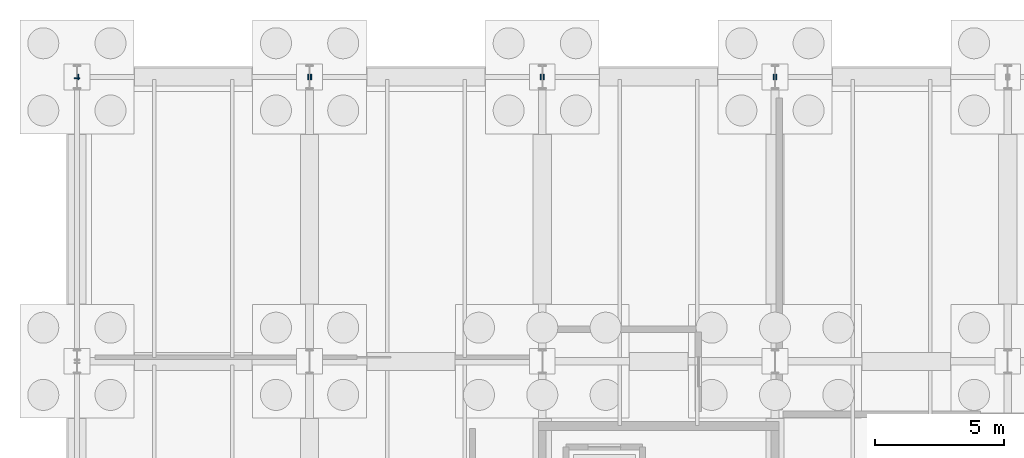
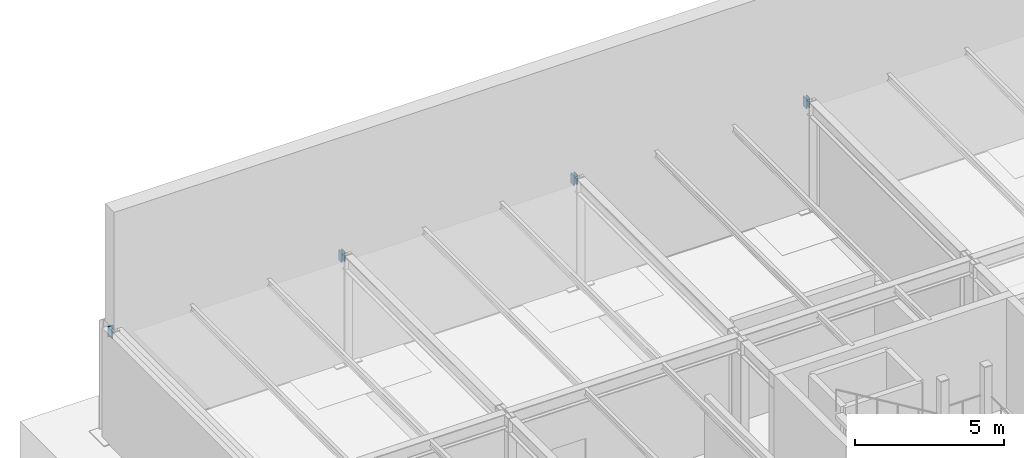
# One storey, part 14 of 19: 8 discrete accessories.
"""IFC4 building model written with IfcOpenShell, lengths in metres."""

from ifc_helpers import new_model, si_unit, direction, frame, origin, origin_2d, place, context, subcontext, project, spatial, rectangle, extrude, material, element, save


model = new_model("IFC4")

# Units and contexts
model_context = context("Model", 3, precision=1e-05, world=origin(), true_north=direction((0.0, 1.0)))
body_context = subcontext(model_context, "Body", "Model", "MODEL_VIEW")
ifc_project = project(units=[si_unit("LENGTHUNIT", "METRE"), si_unit("AREAUNIT", "SQUARE_METRE"), si_unit("VOLUMEUNIT", "CUBIC_METRE"), si_unit("PLANEANGLEUNIT", "RADIAN"), si_unit("MASSUNIT", "GRAM", prefix="KILO")], contexts=[model_context])

# Site, building, storey
site_placement = place(None, origin())
site = spatial("IfcSite", under=ifc_project, at=site_placement, CompositionType="ELEMENT")
building_placement = place(site_placement, origin())
building = spatial("IfcBuilding", under=site, at=building_placement, Name="Marlcrest Central Station", CompositionType="ELEMENT")
storey_placement = place(building_placement, frame((0.0, 0.0, -4.800048828125)))
storey = spatial("IfcBuildingStorey", under=building, at=storey_placement, Name="B1", CompositionType="ELEMENT", Elevation=-4.800048828125)

# Discrete accessories
ifc_material = material(Name="Steel S355", Category="steel")
for number, where, z_axis, x_axis, name in (
    (1, (0.03515625, 132.0, 4.195068359375), (1.0, 0.0, 0.0), (0.0, 1.0, 0.0), "endcap-bm-SP-01-B1-00025-s"),
    (2, (8.925048828125, 132.0, 4.195068359375), (1.0, 0.0, 0.0), (0.0, 1.0, 0.0), "endcap-bm-SP-01-B1-00025-e"),
    (3, (9.03515625, 132.0, 4.195068359375), (1.0, 0.0, 0.0), (0.0, 1.0, 0.0), "endcap-bm-SP-01-B1-00026-s"),
    (4, (17.925048828125, 132.0, 4.195068359375), (1.0, 0.0, 0.0), (0.0, 1.0, 0.0), "endcap-bm-SP-01-B1-00026-e"),
    (5, (18.03515625, 132.0, 4.195068359375), (1.0, 0.0, 0.0), (0.0, 1.0, 0.0), "endcap-bm-SP-01-B1-00027-s"),
    (6, (26.925048828125, 132.0, 4.195068359375), (1.0, 0.0, 0.0), (0.0, 1.0, 0.0), "endcap-bm-SP-01-B1-00027-e"),
    (7, (27.03515625, 132.0, 4.195068359375), (1.0, 0.0, 0.0), (0.0, 1.0, 0.0), "endcap-bm-SP-01-B1-00028-s"),
    (8, (0.0, 131.925048828125, 4.300048828125), (0.0, 1.0, 0.0), (-1.0, 0.0, 0.0), "endcap-bm-SP-01-B1-00035-e"),
):
    element("IfcDiscreteAccessory", number, at=place(storey_placement, frame(where, z_axis=z_axis, x_axis=x_axis)), inside=storey, material=ifc_material, Name=name, ObjectType="END_CAP_PLATE", PredefinedType="BRACKET", context=body_context, shape_type="SweptSolid", body=[
        extrude(rectangle(XDim=0.216064453125, YDim=0.416015625, at=origin_2d()), origin(), (0.0, 0.0, 1.0), 0.0400390625),
    ])

save(model, "model.ifc")
